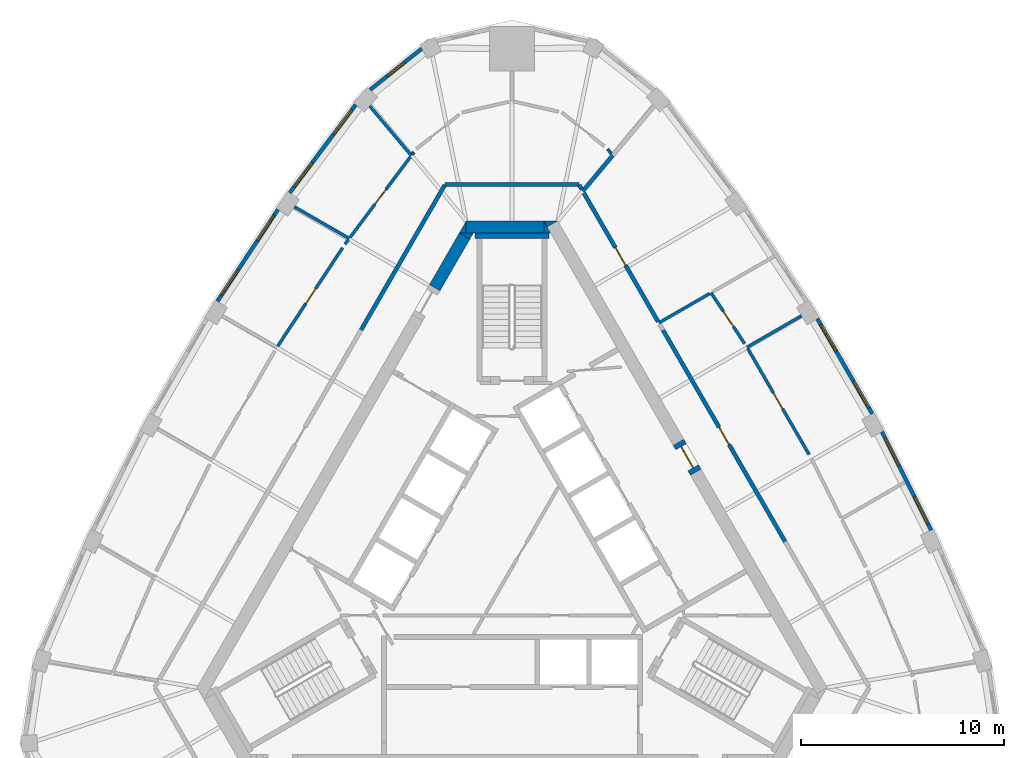
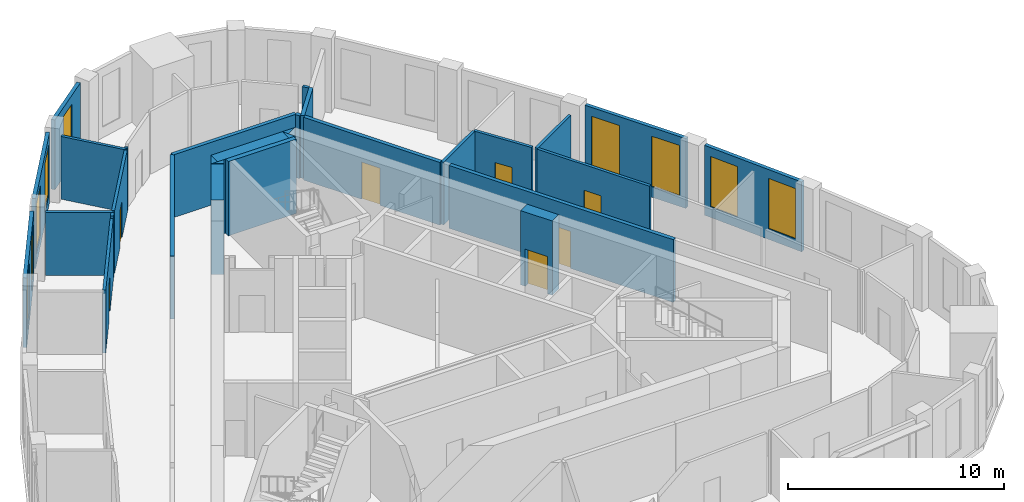
# One storey, part 8 of 10: 30 walls, 9 windows, 7 doors, 16 openings.
"""IFC4 building model written with IfcOpenShell, lengths in metres."""

from ifc_helpers import new_model, si_unit, direction, frame, frame_2d, origin, place, context, subcontext, project, spatial, polyline, rectangle, outline, extrude, material, layer, layer_set, type_object, element, fill, save


model = new_model("IFC4")

# Units and contexts
model_context = context("Model", 3, precision=1e-05, world=origin(), true_north=direction((0.0, 1.0)))
body_context = subcontext(model_context, "Body", "Model", "MODEL_VIEW")
ifc_project = project(units=[si_unit("LENGTHUNIT", "METRE"), si_unit("AREAUNIT", "SQUARE_METRE"), si_unit("VOLUMEUNIT", "CUBIC_METRE"), si_unit("PLANEANGLEUNIT", "RADIAN"), si_unit("MASSUNIT", "GRAM", prefix="KILO")], contexts=[model_context])

# Site, building, storey
site_placement = place(None, origin())
site = spatial("IfcSite", under=ifc_project, at=site_placement, CompositionType="ELEMENT")
building_placement = place(site_placement, origin())
building = spatial("IfcBuilding", under=site, at=building_placement, Name="Mestral Congress Tower", CompositionType="ELEMENT")
storey_placement = place(building_placement, frame((0.0, 0.0, 292.199951171875)))
storey = spatial("IfcBuildingStorey", under=building, at=storey_placement, Name="L68", CompositionType="ELEMENT", Elevation=292.199951171875)

# Walls
ifc_material_1 = material(Name="Concrete C60/75", Category="concrete")
ifc_layer_1 = layer(ifc_material_1, 0.60009765625)
ifc_layer_set_1 = layer_set([ifc_layer_1], Name="Concrete C60/75")
wall_type_1 = type_object("IfcWallType", Name="Core wall RC 600", PredefinedType="SOLIDWALL", material=ifc_layer_set_1)
placement = place(storey_placement, origin())
element("IfcWall", 1, at=placement, inside=storey, type_object=wall_type_1, Name="L68 core wall", PredefinedType="SOLIDWALL", context=body_context, shape_type="SweptSolid", body=[
    extrude(outline(polyline([(1.558837890625, 16.60009765625), (2.23486328125, 16.60009765625), (1.727783203125, 16.307373046875), (1.558837890625, 16.60009765625)])), origin(), (0.0, 0.0, 1.0), 4.199951171875),
])
wall_2_placement = place(storey_placement, frame((-2.258056640625, 16.300048828125, 0.0), z_axis=(0.0, 0.0, 1.0), x_axis=(1.0, 0.0, 0.0)))
element("IfcWall", 2, at=wall_2_placement, inside=storey, type_object=wall_type_1, Name="L68 core wall", PredefinedType="SOLIDWALL", context=body_context, shape_type="SweptSolid", body=[
    extrude(rectangle(XDim=3.8232421875, YDim=0.60009765625, at=frame_2d((1.91162109375, 0.0))), origin(), (0.0, 0.0, 1.0), 4.199951171875),
])
element("IfcWall", 3, at=placement, inside=storey, type_object=wall_type_1, Name="L68 core wall", PredefinedType="SOLIDWALL", context=body_context, shape_type="SweptSolid", body=[
    extrude(outline(polyline([(1.9052734375, 16.0), (1.5673828125, 16.0), (1.5673828125, 16.58544921875), (1.9052734375, 16.0)])), origin(), (0.0, 0.0, 1.0), 4.199951171875),
])
element("IfcWall", 4, at=placement, inside=storey, type_object=wall_type_1, Name="L68 core wall", PredefinedType="SOLIDWALL", context=body_context, shape_type="SweptSolid", body=[
    extrude(outline(polyline([(-2.59814453125, 16.0), (-2.260009765625, 16.58544921875), (-2.260009765625, 16.0), (-2.59814453125, 16.0)])), origin(), (0.0, 0.0, 1.0), 4.199951171875),
])
wall_5_placement = place(storey_placement, frame((-2.335205078125, 15.85546875, 0.0), z_axis=(0.0, 0.0, 1.0), x_axis=(-0.499960127962, -0.866048422692, 0.0)))
element("IfcWall", 5, at=wall_5_placement, inside=storey, type_object=wall_type_1, Name="L68 core wall", PredefinedType="SOLIDWALL", context=body_context, shape_type="SweptSolid", body=[
    extrude(rectangle(XDim=2.934326171875, YDim=0.60009765625, at=frame_2d((1.46728515625, 0.0))), origin(), (0.0, 0.0, 1.0), 4.199951171875),
])
element("IfcWall", 6, at=placement, inside=storey, type_object=wall_type_1, Name="L68 core wall", PredefinedType="SOLIDWALL", context=body_context, shape_type="SweptSolid", body=[
    extrude(outline(polyline([(-1.9052734375, 16.0), (-2.07421875, 15.707275390625), (-2.581298828125, 16.0), (-1.9052734375, 16.0)])), origin(), (0.0, 0.0, 1.0), 4.199951171875),
])

# Wall, opening, door
wall_7_placement = place(storey_placement, frame((8.19189453125, 5.711181640625, 0.0), z_axis=(0.0, 0.0, 1.0), x_axis=(0.500062241894, -0.865989465428, 0.0)))
wall_7 = element("IfcWall", 7, at=wall_7_placement, inside=storey, type_object=wall_type_1, Name="L68 door wall", PredefinedType="SOLIDWALL", context=body_context, shape_type="SweptSolid", body=[
    extrude(rectangle(XDim=1.699951171875, YDim=0.60009765625, at=frame_2d((0.85009765625, 0.0))), origin(), (0.0, 0.0, 1.0), 4.199951171875),
])
opening_1_placement = place(wall_7_placement, frame((0.25, 0.0, 0.0)))
opening_1 = element("IfcOpeningElement", 8, at=opening_1_placement, cuts=wall_7, Name="Opening XDL", PredefinedType="OPENING", context=body_context, shape_type="SweptSolid", body=[
    extrude(rectangle(XDim=1.199951171875, YDim=2.10009765625, at=frame_2d((0.60009765625, 1.050048828125))), frame((0.0, 0.31005859375, 0.0), z_axis=(0.0, -1.0, 0.0), x_axis=(1.0, 0.0, 0.0)), (0.0, 0.0, 1.0), 0.6201171875),
])
ifc_material_2 = material(Name="Fire-rated steel door set", Category="steel")
door_type_1 = type_object("IfcDoorType", Name="Core door XD 1200x2100", OperationType="SINGLE_SWING_LEFT", PredefinedType="DOOR", material=ifc_material_2)
door_1_placement = place(opening_1_placement, origin())
door_1 = element("IfcDoor", 9, at=door_1_placement, inside=storey, type_object=door_type_1, Name="Door XDL", OperationType="SINGLE_SWING_LEFT", OverallHeight=2.10009765625, OverallWidth=1.199951171875, PredefinedType="DOOR", context=body_context, shape_type="SweptSolid", body=[
    extrude(rectangle(XDim=1.199951171875, YDim=2.10009765625, at=frame_2d((0.60009765625, 1.050048828125))), frame((0.0, 0.02490234375, 0.0), z_axis=(0.0, -1.0, 0.0), x_axis=(1.0, 0.0, 0.0)), (0.0, 0.0, 1.0), 0.050048828125),
])
fill(opening_1, door_1)

# Wall, openings, windows
ifc_material_3 = material(Name="Precast concrete C40/50 with limestone facing", Category="masonry")
ifc_layer_2 = layer(ifc_material_3, 0.18994140625)
ifc_layer_set_2 = layer_set([ifc_layer_2], Name="Precast concrete C40/50 with limestone facing")
wall_type_2 = type_object("IfcWallType", Name="Facade stone wall 190", PredefinedType="SOLIDWALL", material=ifc_layer_set_2)
wall_8_placement = place(storey_placement, frame((20.625, 1.39208984375, 0.0), z_axis=(0.0, 0.0, 1.0), x_axis=(-0.447484531401, 0.894291671747, 0.0)))
wall_8 = element("IfcWall", 10, at=wall_8_placement, inside=storey, type_object=wall_type_2, Name="Facade wall F1-01", PredefinedType="SOLIDWALL", context=body_context, shape_type="SweptSolid", body=[
    extrude(rectangle(XDim=5.40625, YDim=0.18994140625, at=frame_2d((2.703125, 0.0))), origin(), (0.0, 0.0, 1.0), 3.949951171875),
])
opening_2_placement = place(wall_8_placement, frame((0.346435546875, 0.0, 0.60009765625)))
opening_2 = element("IfcOpeningElement", 11, at=opening_2_placement, cuts=wall_8, Name="Opening W6", PredefinedType="OPENING", context=body_context, shape_type="SweptSolid", body=[
    extrude(rectangle(XDim=1.5, YDim=2.85009765625, at=frame_2d((0.75, 1.425048828125))), frame((0.0, 0.10498046875, 0.0), z_axis=(0.0, -1.0, 0.0), x_axis=(1.0, 0.0, 0.0)), (0.0, 0.0, 1.0), 0.2099609375),
])
opening_3_placement = place(wall_8_placement, frame((3.559326171875, 0.0, 0.60009765625)))
opening_3 = element("IfcOpeningElement", 12, at=opening_3_placement, cuts=wall_8, Name="Opening W6", PredefinedType="OPENING", context=body_context, shape_type="SweptSolid", body=[
    extrude(rectangle(XDim=1.5, YDim=2.85009765625, at=frame_2d((0.75, 1.425048828125))), frame((0.0, 0.10498046875, 0.0), z_axis=(0.0, -1.0, 0.0), x_axis=(1.0, 0.0, 0.0)), (0.0, 0.0, 1.0), 0.2099609375),
])
ifc_material_4 = material(Name="Clear low-emissivity double glazing", Category="glass")
window_type_1 = type_object("IfcWindowType", Name="Facade punched window 1500 x 2850 sill 600", PartitioningType="SINGLE_PANEL", PredefinedType="WINDOW", material=ifc_material_4)
window_1_placement = place(opening_2_placement, origin())
window_1 = element("IfcWindow", 13, at=window_1_placement, inside=storey, type_object=window_type_1, Name="Window F1-01a", OverallHeight=2.85009765625, OverallWidth=1.5, PartitioningType="SINGLE_PANEL", PredefinedType="WINDOW", context=body_context, shape_type="SweptSolid", body=[
    extrude(rectangle(XDim=1.5, YDim=2.85009765625, at=frame_2d((0.75, 1.425048828125))), frame((0.0, 0.044921875, 0.0), z_axis=(0.0, -1.0, 0.0), x_axis=(1.0, 0.0, 0.0)), (0.0, 0.0, 1.0), 0.06005859375),
])
fill(opening_2, window_1)
window_2_placement = place(opening_3_placement, origin())
window_2 = element("IfcWindow", 14, at=window_2_placement, inside=storey, type_object=window_type_1, Name="Window F1-01b", OverallHeight=2.85009765625, OverallWidth=1.5, PartitioningType="SINGLE_PANEL", PredefinedType="WINDOW", context=body_context, shape_type="SweptSolid", body=[
    extrude(rectangle(XDim=1.5, YDim=2.85009765625, at=frame_2d((0.75, 1.425048828125))), frame((0.0, 0.044921875, 0.0), z_axis=(0.0, -1.0, 0.0), x_axis=(1.0, 0.0, 0.0)), (0.0, 0.0, 1.0), 0.06005859375),
])
fill(opening_3, window_2)

wall_9_placement = place(storey_placement, frame((17.728271484375, 7.1142578125, 0.0), z_axis=(0.0, 0.0, 1.0), x_axis=(-0.500024767483, 0.866011103799, 0.0)))
wall_9 = element("IfcWall", 15, at=wall_9_placement, inside=storey, type_object=wall_type_2, Name="Facade wall F1-02", PredefinedType="SOLIDWALL", context=body_context, shape_type="SweptSolid", body=[
    extrude(rectangle(XDim=5.406005859375, YDim=0.18994140625, at=frame_2d((2.703125, 0.0))), origin(), (0.0, 0.0, 1.0), 3.949951171875),
])
opening_4_placement = place(wall_9_placement, frame((0.346435546875, 0.0, 0.60009765625)))
opening_4 = element("IfcOpeningElement", 16, at=opening_4_placement, cuts=wall_9, Name="Opening W6", PredefinedType="OPENING", context=body_context, shape_type="SweptSolid", body=[
    extrude(rectangle(XDim=1.5, YDim=2.85009765625, at=frame_2d((0.75, 1.425048828125))), frame((0.0, 0.10498046875, 0.0), z_axis=(0.0, -1.0, 0.0), x_axis=(1.0, 0.0, 0.0)), (0.0, 0.0, 1.0), 0.2099609375),
])
opening_5_placement = place(wall_9_placement, frame((3.5595703125, 0.0, 0.60009765625)))
opening_5 = element("IfcOpeningElement", 17, at=opening_5_placement, cuts=wall_9, Name="Opening W6", PredefinedType="OPENING", context=body_context, shape_type="SweptSolid", body=[
    extrude(rectangle(XDim=1.5, YDim=2.85009765625, at=frame_2d((0.75, 1.425048828125))), frame((0.0, 0.10498046875, 0.0), z_axis=(0.0, -1.0, 0.0), x_axis=(1.0, 0.0, 0.0)), (0.0, 0.0, 1.0), 0.2099609375),
])
window_3_placement = place(opening_4_placement, origin())
window_3 = element("IfcWindow", 18, at=window_3_placement, inside=storey, type_object=window_type_1, Name="Window F1-02a", OverallHeight=2.85009765625, OverallWidth=1.5, PartitioningType="SINGLE_PANEL", PredefinedType="WINDOW", context=body_context, shape_type="SweptSolid", body=[
    extrude(rectangle(XDim=1.5, YDim=2.85009765625, at=frame_2d((0.75, 1.425048828125))), frame((0.0, 0.044921875, 0.0), z_axis=(0.0, -1.0, 0.0), x_axis=(1.0, 0.0, 0.0)), (0.0, 0.0, 1.0), 0.06005859375),
])
fill(opening_4, window_3)
window_4_placement = place(opening_5_placement, origin())
window_4 = element("IfcWindow", 19, at=window_4_placement, inside=storey, type_object=window_type_1, Name="Window F1-02b", OverallHeight=2.85009765625, OverallWidth=1.5, PartitioningType="SINGLE_PANEL", PredefinedType="WINDOW", context=body_context, shape_type="SweptSolid", body=[
    extrude(rectangle(XDim=1.5, YDim=2.85009765625, at=frame_2d((0.75, 1.425048828125))), frame((0.0, 0.044921875, 0.0), z_axis=(0.0, -1.0, 0.0), x_axis=(1.0, 0.0, 0.0)), (0.0, 0.0, 1.0), 0.06005859375),
])
fill(opening_5, window_4)

# Wall, opening, window
wall_10_placement = place(storey_placement, frame((-4.447509765625, 25.080078125, 0.0), z_axis=(0.0, 0.0, 1.0), x_axis=(-0.781626234064, -0.623747088349, 0.0)))
wall_10 = element("IfcWall", 20, at=wall_10_placement, inside=storey, type_object=wall_type_2, Name="Facade wall K1-3", PredefinedType="SOLIDWALL", context=body_context, shape_type="SweptSolid", body=[
    extrude(rectangle(XDim=3.236572265625, YDim=0.18994140625, at=frame_2d((1.6181640625, 0.0))), origin(), (0.0, 0.0, 1.0), 3.949951171875),
])
opening_6_placement = place(wall_10_placement, frame((1.068359375, 0.0, 0.60009765625)))
opening_6 = element("IfcOpeningElement", 21, at=opening_6_placement, cuts=wall_10, Name="Opening W7", PredefinedType="OPENING", context=body_context, shape_type="SweptSolid", body=[
    extrude(rectangle(XDim=1.10009765625, YDim=2.85009765625, at=frame_2d((0.550048828125, 1.425048828125))), frame((0.0, 0.10498046875, 0.0), z_axis=(0.0, -1.0, 0.0), x_axis=(1.0, 0.0, 0.0)), (0.0, 0.0, 1.0), 0.2099609375),
])
window_type_2 = type_object("IfcWindowType", Name="Facade punched window 1100 x 2850 sill 600", PartitioningType="SINGLE_PANEL", PredefinedType="WINDOW", material=ifc_material_4)
window_5_placement = place(opening_6_placement, origin())
window_5 = element("IfcWindow", 22, at=window_5_placement, inside=storey, type_object=window_type_2, Name="Window K1-3", OverallHeight=2.85009765625, OverallWidth=1.10009765625, PartitioningType="SINGLE_PANEL", PredefinedType="WINDOW", context=body_context, shape_type="SweptSolid", body=[
    extrude(rectangle(XDim=1.10009765625, YDim=2.85009765625, at=frame_2d((0.550048828125, 1.425048828125))), frame((0.0, 0.044921875, 0.0), z_axis=(0.0, -1.0, 0.0), x_axis=(1.0, 0.0, 0.0)), (0.0, 0.0, 1.0), 0.06005859375),
])
fill(opening_6, window_5)

# Wall, openings, windows
wall_11_placement = place(storey_placement, frame((-7.691650390625, 22.32373046875, 0.0), z_axis=(0.0, 0.0, 1.0), x_axis=(-0.599559865294, -0.800329911929, 0.0)))
wall_11 = element("IfcWall", 23, at=wall_11_placement, inside=storey, type_object=wall_type_2, Name="Facade wall F2-00", PredefinedType="SOLIDWALL", context=body_context, shape_type="SweptSolid", body=[
    extrude(rectangle(XDim=5.4150390625, YDim=0.18994140625, at=frame_2d((2.70751953125, 0.0))), origin(), (0.0, 0.0, 1.0), 3.949951171875),
])
opening_7_placement = place(wall_11_placement, frame((0.322509765625, 0.0, 0.60009765625)))
opening_7 = element("IfcOpeningElement", 24, at=opening_7_placement, cuts=wall_11, Name="Opening W6", PredefinedType="OPENING", context=body_context, shape_type="SweptSolid", body=[
    extrude(rectangle(XDim=1.5, YDim=2.85009765625, at=frame_2d((0.75, 1.425048828125))), frame((0.0, 0.10498046875, 0.0), z_axis=(0.0, -1.0, 0.0), x_axis=(1.0, 0.0, 0.0)), (0.0, 0.0, 1.0), 0.2099609375),
])
opening_8_placement = place(wall_11_placement, frame((3.5576171875, 0.0, 0.60009765625)))
opening_8 = element("IfcOpeningElement", 25, at=opening_8_placement, cuts=wall_11, Name="Opening W6", PredefinedType="OPENING", context=body_context, shape_type="SweptSolid", body=[
    extrude(rectangle(XDim=1.5, YDim=2.85009765625, at=frame_2d((0.75, 1.425048828125))), frame((0.0, 0.10498046875, 0.0), z_axis=(0.0, -1.0, 0.0), x_axis=(1.0, 0.0, 0.0)), (0.0, 0.0, 1.0), 0.2099609375),
])
window_6_placement = place(opening_7_placement, origin())
window_6 = element("IfcWindow", 26, at=window_6_placement, inside=storey, type_object=window_type_1, Name="Window F2-00a", OverallHeight=2.85009765625, OverallWidth=1.5, PartitioningType="SINGLE_PANEL", PredefinedType="WINDOW", context=body_context, shape_type="SweptSolid", body=[
    extrude(rectangle(XDim=1.5, YDim=2.85009765625, at=frame_2d((0.75, 1.425048828125))), frame((0.0, 0.044921875, 0.0), z_axis=(0.0, -1.0, 0.0), x_axis=(1.0, 0.0, 0.0)), (0.0, 0.0, 1.0), 0.06005859375),
])
fill(opening_7, window_6)
window_7_placement = place(opening_8_placement, origin())
window_7 = element("IfcWindow", 27, at=window_7_placement, inside=storey, type_object=window_type_1, Name="Window F2-00b", OverallHeight=2.85009765625, OverallWidth=1.5, PartitioningType="SINGLE_PANEL", PredefinedType="WINDOW", context=body_context, shape_type="SweptSolid", body=[
    extrude(rectangle(XDim=1.5, YDim=2.85009765625, at=frame_2d((0.75, 1.425048828125))), frame((0.0, 0.044921875, 0.0), z_axis=(0.0, -1.0, 0.0), x_axis=(1.0, 0.0, 0.0)), (0.0, 0.0, 1.0), 0.06005859375),
])
fill(opening_8, window_7)

wall_12_placement = place(storey_placement, frame((-11.518310546875, 17.16552734375, 0.0), z_axis=(0.0, 0.0, 1.0), x_axis=(-0.550744054781, -0.83467417962, 0.0)))
wall_12 = element("IfcWall", 28, at=wall_12_placement, inside=storey, type_object=wall_type_2, Name="Facade wall F2-01", PredefinedType="SOLIDWALL", context=body_context, shape_type="SweptSolid", body=[
    extrude(rectangle(XDim=5.406005859375, YDim=0.18994140625, at=frame_2d((2.703125, 0.0))), origin(), (0.0, 0.0, 1.0), 3.949951171875),
])
opening_9_placement = place(wall_12_placement, frame((0.346435546875, 0.0, 0.60009765625)))
opening_9 = element("IfcOpeningElement", 29, at=opening_9_placement, cuts=wall_12, Name="Opening W6", PredefinedType="OPENING", context=body_context, shape_type="SweptSolid", body=[
    extrude(rectangle(XDim=1.5, YDim=2.85009765625, at=frame_2d((0.75, 1.425048828125))), frame((0.0, 0.10498046875, 0.0), z_axis=(0.0, -1.0, 0.0), x_axis=(1.0, 0.0, 0.0)), (0.0, 0.0, 1.0), 0.2099609375),
])
opening_10_placement = place(wall_12_placement, frame((3.559326171875, 0.0, 0.60009765625)))
opening_10 = element("IfcOpeningElement", 30, at=opening_10_placement, cuts=wall_12, Name="Opening W6", PredefinedType="OPENING", context=body_context, shape_type="SweptSolid", body=[
    extrude(rectangle(XDim=1.5, YDim=2.85009765625, at=frame_2d((0.75, 1.425048828125))), frame((0.0, 0.10498046875, 0.0), z_axis=(0.0, -1.0, 0.0), x_axis=(1.0, 0.0, 0.0)), (0.0, 0.0, 1.0), 0.2099609375),
])
window_8_placement = place(opening_9_placement, origin())
window_8 = element("IfcWindow", 31, at=window_8_placement, inside=storey, type_object=window_type_1, Name="Window F2-01a", OverallHeight=2.85009765625, OverallWidth=1.5, PartitioningType="SINGLE_PANEL", PredefinedType="WINDOW", context=body_context, shape_type="SweptSolid", body=[
    extrude(rectangle(XDim=1.5, YDim=2.85009765625, at=frame_2d((0.75, 1.425048828125))), frame((0.0, 0.044921875, 0.0), z_axis=(0.0, -1.0, 0.0), x_axis=(1.0, 0.0, 0.0)), (0.0, 0.0, 1.0), 0.06005859375),
])
fill(opening_9, window_8)
window_9_placement = place(opening_10_placement, origin())
window_9 = element("IfcWindow", 32, at=window_9_placement, inside=storey, type_object=window_type_1, Name="Window F2-01b", OverallHeight=2.85009765625, OverallWidth=1.5, PartitioningType="SINGLE_PANEL", PredefinedType="WINDOW", context=body_context, shape_type="SweptSolid", body=[
    extrude(rectangle(XDim=1.5, YDim=2.85009765625, at=frame_2d((0.75, 1.425048828125))), frame((0.0, 0.044921875, 0.0), z_axis=(0.0, -1.0, 0.0), x_axis=(1.0, 0.0, 0.0)), (0.0, 0.0, 1.0), 0.06005859375),
])
fill(opening_10, window_9)

# Wall
ifc_material_5 = material(Name="Plasterboard partition on steel studs", Category="steel")
ifc_layer_3 = layer(ifc_material_5, 0.14990234375)
ifc_layer_set_3 = layer_set([ifc_layer_3], Name="Plasterboard partition on steel studs")
wall_type_3 = type_object("IfcWallType", Name="Office partition 150", PredefinedType="PARTITIONING", material=ifc_layer_set_3)
wall_13_placement = place(storey_placement, frame((11.564208984375, 10.38671875, 0.0), z_axis=(0.0, 0.0, 1.0), x_axis=(0.86604641216, 0.499963610661, 0.0)))
element("IfcWall", 33, at=wall_13_placement, inside=storey, type_object=wall_type_3, Name="Partition", PredefinedType="PARTITIONING", context=body_context, shape_type="SweptSolid", body=[
    extrude(rectangle(XDim=3.096435546875, YDim=0.14990234375, at=frame_2d((1.54833984375, 0.0))), origin(), (0.0, 0.0, 1.0), 3.550048828125),
])

# Wall, opening, door
wall_14_placement = place(storey_placement, frame((11.601806640625, 10.32177734375, 0.0), z_axis=(0.0, 0.0, 1.0), x_axis=(0.500961140821, -0.865469777281, 0.0)))
wall_14 = element("IfcWall", 34, at=wall_14_placement, inside=storey, type_object=wall_type_3, Name="Partition", PredefinedType="PARTITIONING", context=body_context, shape_type="SweptSolid", body=[
    extrude(rectangle(XDim=6.020751953125, YDim=0.14990234375, at=frame_2d((3.01025390625, 0.0))), origin(), (0.0, 0.0, 1.0), 3.550048828125),
])
opening_11_placement = place(wall_14_placement, frame((2.5205078125, 0.0, 0.0)))
opening_11 = element("IfcOpeningElement", 35, at=opening_11_placement, cuts=wall_14, Name="Opening O13-006", PredefinedType="OPENING", context=body_context, shape_type="SweptSolid", body=[
    extrude(rectangle(XDim=0.89990234375, YDim=2.10009765625, at=frame_2d((0.449951171875, 1.050048828125))), frame((0.0, 0.0849609375, 0.0), z_axis=(0.0, -1.0, 0.0), x_axis=(1.0, 0.0, 0.0)), (0.0, 0.0, 1.0), 0.169921875),
])
ifc_material_6 = material(Name="Timber door set", Category="wood")
door_type_2 = type_object("IfcDoorType", Name="Office door 900x2100", OperationType="SINGLE_SWING_LEFT", PredefinedType="DOOR", material=ifc_material_6)
door_2_placement = place(opening_11_placement, origin())
door_2 = element("IfcDoor", 36, at=door_2_placement, inside=storey, type_object=door_type_2, Name="Door O13-006", OperationType="SINGLE_SWING_LEFT", OverallHeight=2.10009765625, OverallWidth=0.89990234375, PredefinedType="DOOR", context=body_context, shape_type="SweptSolid", body=[
    extrude(rectangle(XDim=0.89990234375, YDim=2.10009765625, at=frame_2d((0.449951171875, 1.050048828125))), frame((0.0, 0.02490234375, 0.0), z_axis=(0.0, -1.0, 0.0), x_axis=(1.0, 0.0, 0.0)), (0.0, 0.0, 1.0), 0.050048828125),
])
fill(opening_11, door_2)

wall_15_placement = place(storey_placement, frame((9.794677734375, 13.068359375, 0.0), z_axis=(0.0, 0.0, 1.0), x_axis=(0.550767347659, -0.834658809786, 0.0)))
wall_15 = element("IfcWall", 37, at=wall_15_placement, inside=storey, type_object=wall_type_3, Name="Partition", PredefinedType="PARTITIONING", context=body_context, shape_type="SweptSolid", body=[
    extrude(rectangle(XDim=2.998779296875, YDim=0.14990234375, at=frame_2d((1.49951171875, 0.0))), origin(), (0.0, 0.0, 1.0), 3.550048828125),
])
opening_12_placement = place(wall_15_placement, frame((1.0986328125, 0.0, 0.0)))
opening_12 = element("IfcOpeningElement", 38, at=opening_12_placement, cuts=wall_15, Name="Opening O13-007", PredefinedType="OPENING", context=body_context, shape_type="SweptSolid", body=[
    extrude(rectangle(XDim=0.89990234375, YDim=2.10009765625, at=frame_2d((0.449951171875, 1.050048828125))), frame((0.0, 0.0849609375, 0.0), z_axis=(0.0, -1.0, 0.0), x_axis=(1.0, 0.0, 0.0)), (0.0, 0.0, 1.0), 0.169921875),
])
door_3_placement = place(opening_12_placement, origin())
door_3 = element("IfcDoor", 39, at=door_3_placement, inside=storey, type_object=door_type_2, Name="Door O13-007", OperationType="SINGLE_SWING_RIGHT", OverallHeight=2.10009765625, OverallWidth=0.89990234375, PredefinedType="DOOR", context=body_context, shape_type="SweptSolid", body=[
    extrude(rectangle(XDim=0.89990234375, YDim=2.10009765625, at=frame_2d((0.449951171875, 1.050048828125))), frame((0.0, 0.02490234375, 0.0), z_axis=(0.0, -1.0, 0.0), x_axis=(1.0, 0.0, 0.0)), (0.0, 0.0, 1.0), 0.050048828125),
])
fill(opening_12, door_3)

# Walls
wall_16_placement = place(storey_placement, frame((7.2255859375, 11.585205078125, 0.0), z_axis=(0.0, 0.0, 1.0), x_axis=(0.866021079084, 0.500007490527, 0.0)))
element("IfcWall", 40, at=wall_16_placement, inside=storey, type_object=wall_type_3, Name="Partition", PredefinedType="PARTITIONING", context=body_context, shape_type="SweptSolid", body=[
    extrude(rectangle(XDim=2.8916015625, YDim=0.14990234375, at=frame_2d((1.44580078125, 0.0))), origin(), (0.0, 0.0, 1.0), 3.550048828125),
])
wall_17_placement = place(storey_placement, frame((4.89111328125, 19.8994140625, 0.0), z_axis=(0.0, 0.0, 1.0), x_axis=(-0.6, 0.8, 0.0)))
element("IfcWall", 41, at=wall_17_placement, inside=storey, type_object=wall_type_3, Name="Partition", PredefinedType="PARTITIONING", context=body_context, shape_type="SweptSolid", body=[
    extrude(rectangle(XDim=0.308837890625, YDim=0.14990234375, at=frame_2d((0.154296875, 0.0))), origin(), (0.0, 0.0, 1.0), 3.550048828125),
])
wall_18_placement = place(storey_placement, frame((-4.952392578125, 19.8173828125, 0.0), z_axis=(0.0, 0.0, 1.0), x_axis=(-0.643023053688, 0.765846820471, 0.0)))
element("IfcWall", 42, at=wall_18_placement, inside=storey, type_object=wall_type_3, Name="Partition", PredefinedType="PARTITIONING", context=body_context, shape_type="SweptSolid", body=[
    extrude(rectangle(XDim=3.184326171875, YDim=0.14990234375, at=frame_2d((1.59228515625, 0.0))), origin(), (0.0, 0.0, 1.0), 3.550048828125),
])
wall_19_placement = place(storey_placement, frame((-4.83447265625, 19.97509765625, 0.0), z_axis=(0.0, 0.0, 1.0), x_axis=(-0.599349659863, -0.800487342325, 0.0)))
element("IfcWall", 43, at=wall_19_placement, inside=storey, type_object=wall_type_3, Name="Partition", PredefinedType="PARTITIONING", context=body_context, shape_type="SweptSolid", body=[
    extrude(rectangle(XDim=0.1201171875, YDim=0.14990234375, at=frame_2d((0.06005859375, 0.0))), origin(), (0.0, 0.0, 1.0), 3.550048828125),
])
wall_20_placement = place(storey_placement, frame((-8.007080078125, 15.73974609375, 0.0), z_axis=(0.0, 0.0, 1.0), x_axis=(-0.866044607523, 0.499966736674, 0.0)))
element("IfcWall", 44, at=wall_20_placement, inside=storey, type_object=wall_type_3, Name="Partition", PredefinedType="PARTITIONING", context=body_context, shape_type="SweptSolid", body=[
    extrude(rectangle(XDim=3.114501953125, YDim=0.14990234375, at=frame_2d((1.55712890625, 0.0))), origin(), (0.0, 0.0, 1.0), 3.550048828125),
])

# Wall, opening, door
wall_21_placement = place(storey_placement, frame((-7.9619140625, 15.800048828125, 0.0), z_axis=(0.0, 0.0, 1.0), x_axis=(0.599541489613, 0.800343677574, 0.0)))
wall_21 = element("IfcWall", 45, at=wall_21_placement, inside=storey, type_object=wall_type_3, Name="Partition", PredefinedType="PARTITIONING", context=body_context, shape_type="SweptSolid", body=[
    extrude(rectangle(XDim=4.9423828125, YDim=0.14990234375, at=frame_2d((2.47119140625, 0.0))), origin(), (0.0, 0.0, 1.0), 3.550048828125),
])
opening_13_placement = place(wall_21_placement, frame((2.042236328125, 0.0, 0.0)))
opening_13 = element("IfcOpeningElement", 46, at=opening_13_placement, cuts=wall_21, Name="Opening O13-012", PredefinedType="OPENING", context=body_context, shape_type="SweptSolid", body=[
    extrude(rectangle(XDim=0.89990234375, YDim=2.10009765625, at=frame_2d((0.449951171875, 1.050048828125))), frame((0.0, 0.0849609375, 0.0), z_axis=(0.0, -1.0, 0.0), x_axis=(1.0, 0.0, 0.0)), (0.0, 0.0, 1.0), 0.169921875),
])
door_4_placement = place(opening_13_placement, origin())
door_4 = element("IfcDoor", 47, at=door_4_placement, inside=storey, type_object=door_type_2, Name="Door O13-012", OperationType="SINGLE_SWING_RIGHT", OverallHeight=2.10009765625, OverallWidth=0.89990234375, PredefinedType="DOOR", context=body_context, shape_type="SweptSolid", body=[
    extrude(rectangle(XDim=0.89990234375, YDim=2.10009765625, at=frame_2d((0.449951171875, 1.050048828125))), frame((0.0, 0.02490234375, 0.0), z_axis=(0.0, -1.0, 0.0), x_axis=(1.0, 0.0, 0.0)), (0.0, 0.0, 1.0), 0.050048828125),
])
fill(opening_13, door_4)

# Wall
wall_22_placement = place(storey_placement, frame((-8.052490234375, 15.67919921875, 0.0), z_axis=(0.0, 0.0, 1.0), x_axis=(-0.599004157744, -0.800745914136, 0.0)))
element("IfcWall", 48, at=wall_22_placement, inside=storey, type_object=wall_type_3, Name="Partition", PredefinedType="PARTITIONING", context=body_context, shape_type="SweptSolid", body=[
    extrude(rectangle(XDim=0.274658203125, YDim=0.14990234375, at=frame_2d((0.13720703125, 0.0))), origin(), (0.0, 0.0, 1.0), 3.550048828125),
])

# Wall, opening, door
wall_23_placement = place(storey_placement, frame((-11.52294921875, 10.449462890625, 0.0), z_axis=(0.0, 0.0, 1.0), x_axis=(0.550751709023, 0.834669129061, 0.0)))
wall_23 = element("IfcWall", 49, at=wall_23_placement, inside=storey, type_object=wall_type_3, Name="Partition", PredefinedType="PARTITIONING", context=body_context, shape_type="SweptSolid", body=[
    extrude(rectangle(XDim=5.7880859375, YDim=0.14990234375, at=frame_2d((2.89404296875, 0.0))), origin(), (0.0, 0.0, 1.0), 3.550048828125),
])
opening_14_placement = place(wall_23_placement, frame((2.488037109375, 0.0, 0.0)))
opening_14 = element("IfcOpeningElement", 50, at=opening_14_placement, cuts=wall_23, Name="Opening O13-013", PredefinedType="OPENING", context=body_context, shape_type="SweptSolid", body=[
    extrude(rectangle(XDim=0.89990234375, YDim=2.10009765625, at=frame_2d((0.449951171875, 1.050048828125))), frame((0.0, 0.0849609375, 0.0), z_axis=(0.0, -1.0, 0.0), x_axis=(1.0, 0.0, 0.0)), (0.0, 0.0, 1.0), 0.169921875),
])
door_5_placement = place(opening_14_placement, origin())
door_5 = element("IfcDoor", 51, at=door_5_placement, inside=storey, type_object=door_type_2, Name="Door O13-013", OperationType="SINGLE_SWING_RIGHT", OverallHeight=2.10009765625, OverallWidth=0.89990234375, PredefinedType="DOOR", context=body_context, shape_type="SweptSolid", body=[
    extrude(rectangle(XDim=0.89990234375, YDim=2.10009765625, at=frame_2d((0.449951171875, 1.050048828125))), frame((0.0, 0.02490234375, 0.0), z_axis=(0.0, -1.0, 0.0), x_axis=(1.0, 0.0, 0.0)), (0.0, 0.0, 1.0), 0.050048828125),
])
fill(opening_14, door_5)

ifc_material_7 = material(Name="Dense masonry wall, plastered", Category="masonry")
ifc_layer_4 = layer(ifc_material_7, 0.199951171875)
ifc_layer_set_4 = layer_set([ifc_layer_4], Name="Dense masonry wall, plastered")
wall_type_4 = type_object("IfcWallType", Name="Office tenancy wall 200", PredefinedType="PARTITIONING", material=ifc_layer_set_4)
wall_24_placement = place(storey_placement, frame((13.435546875, 0.828857421875, 0.0), z_axis=(0.0, 0.0, 1.0), x_axis=(-0.49999894854, 0.866026010844, 0.0)))
wall_24 = element("IfcWall", 52, at=wall_24_placement, inside=storey, type_object=wall_type_4, Name="Tenancy wall", PredefinedType="PARTITIONING", context=body_context, shape_type="SweptSolid", body=[
    extrude(rectangle(XDim=12.0, YDim=0.199951171875, at=frame_2d((6.0, 0.0))), origin(), (0.0, 0.0, 1.0), 3.550048828125),
])
opening_15_placement = place(wall_24_placement, frame((5.5, 0.0, 0.0)))
opening_15 = element("IfcOpeningElement", 53, at=opening_15_placement, cuts=wall_24, Name="Opening O13-008", PredefinedType="OPENING", context=body_context, shape_type="SweptSolid", body=[
    extrude(rectangle(XDim=1.0, YDim=2.10009765625, at=frame_2d((0.5, 1.050048828125))), frame((0.0, 0.10986328125, 0.0), z_axis=(0.0, -1.0, 0.0), x_axis=(1.0, 0.0, 0.0)), (0.0, 0.0, 1.0), 0.219970703125),
])
ifc_material_8 = material(Name="Fire-rated timber door set", Category="wood")
door_type_3 = type_object("IfcDoorType", Name="Office tenancy entrance door 1000x2100", OperationType="SINGLE_SWING_LEFT", PredefinedType="DOOR", material=ifc_material_8)
door_6_placement = place(opening_15_placement, origin())
door_6 = element("IfcDoor", 54, at=door_6_placement, inside=storey, type_object=door_type_3, Name="Door O13-008", OperationType="SINGLE_SWING_RIGHT", OverallHeight=2.10009765625, OverallWidth=1.0, PredefinedType="DOOR", context=body_context, shape_type="SweptSolid", body=[
    extrude(rectangle(XDim=1.0, YDim=2.10009765625, at=frame_2d((0.5, 1.050048828125))), frame((0.0, 0.02490234375, 0.0), z_axis=(0.0, -1.0, 0.0), x_axis=(1.0, 0.0, 0.0)), (0.0, 0.0, 1.0), 0.050048828125),
])
fill(opening_15, door_6)

# Wall
wall_25_placement = place(storey_placement, frame((3.483154296875, 18.06689453125, 0.0), z_axis=(0.0, 0.0, 1.0), x_axis=(0.642896944312, 0.765952687177, 0.0)))
element("IfcWall", 55, at=wall_25_placement, inside=storey, type_object=wall_type_4, Name="Tenancy wall", PredefinedType="PARTITIONING", context=body_context, shape_type="SweptSolid", body=[
    extrude(rectangle(XDim=2.28955078125, YDim=0.199951171875, at=frame_2d((1.144775390625, 0.0))), origin(), (0.0, 0.0, 1.0), 3.550048828125),
])

# Wall, opening, door
wall_26_placement = place(storey_placement, frame((7.18798828125, 11.64990234375, 0.0), z_axis=(0.0, 0.0, 1.0), x_axis=(-0.499989634868, 0.866031388014, 0.0)))
wall_26 = element("IfcWall", 56, at=wall_26_placement, inside=storey, type_object=wall_type_4, Name="Tenancy wall", PredefinedType="PARTITIONING", context=body_context, shape_type="SweptSolid", body=[
    extrude(rectangle(XDim=7.303466796875, YDim=0.199951171875, at=frame_2d((3.65185546875, 0.0))), origin(), (0.0, 0.0, 1.0), 3.550048828125),
])
opening_16_placement = place(wall_26_placement, frame((3.199951171875, 0.0, 0.0)))
opening_16 = element("IfcOpeningElement", 57, at=opening_16_placement, cuts=wall_26, Name="Opening O13-009", PredefinedType="OPENING", context=body_context, shape_type="SweptSolid", body=[
    extrude(rectangle(XDim=1.0, YDim=2.10009765625, at=frame_2d((0.5, 1.050048828125))), frame((0.0, 0.10986328125, 0.0), z_axis=(0.0, -1.0, 0.0), x_axis=(1.0, 0.0, 0.0)), (0.0, 0.0, 1.0), 0.219970703125),
])
door_7_placement = place(opening_16_placement, origin())
door_7 = element("IfcDoor", 58, at=door_7_placement, inside=storey, type_object=door_type_3, Name="Door O13-009", OperationType="SINGLE_SWING_RIGHT", OverallHeight=2.10009765625, OverallWidth=1.0, PredefinedType="DOOR", context=body_context, shape_type="SweptSolid", body=[
    extrude(rectangle(XDim=1.0, YDim=2.10009765625, at=frame_2d((0.5, 1.050048828125))), frame((0.0, 0.02490234375, 0.0), z_axis=(0.0, -1.0, 0.0), x_axis=(1.0, 0.0, 0.0)), (0.0, 0.0, 1.0), 0.050048828125),
])
fill(opening_16, door_7)

# Walls
wall_27_placement = place(storey_placement, frame((3.291015625, 18.39990234375, 0.0), z_axis=(0.0, 0.0, 1.0), x_axis=(-1.0, 0.0, 0.0)))
element("IfcWall", 59, at=wall_27_placement, inside=storey, type_object=wall_type_4, Name="Tenancy wall", PredefinedType="PARTITIONING", context=body_context, shape_type="SweptSolid", body=[
    extrude(rectangle(XDim=6.58203125, YDim=0.199951171875, at=frame_2d((3.291015625, 0.0))), origin(), (0.0, 0.0, 1.0), 3.550048828125),
])
wall_28_placement = place(storey_placement, frame((-3.305908203125, 18.3740234375, 0.0), z_axis=(0.0, 0.0, 1.0), x_axis=(-0.499999798456, -0.866025520146, 0.0)))
element("IfcWall", 60, at=wall_28_placement, inside=storey, type_object=wall_type_4, Name="Tenancy wall", PredefinedType="PARTITIONING", context=body_context, shape_type="SweptSolid", body=[
    extrude(rectangle(XDim=8.2294921875, YDim=0.199951171875, at=frame_2d((4.11474609375, 0.0))), origin(), (0.0, 0.0, 1.0), 3.550048828125),
])
wall_29_placement = place(storey_placement, frame((3.429931640625, 18.1591796875, 0.0), z_axis=(0.0, 0.0, 1.0), x_axis=(-0.499949632511, 0.866054481515, 0.0)))
element("IfcWall", 61, at=wall_29_placement, inside=storey, type_object=wall_type_4, Name="Tenancy wall", PredefinedType="PARTITIONING", context=body_context, shape_type="SweptSolid", body=[
    extrude(rectangle(XDim=0.248046875, YDim=0.199951171875, at=frame_2d((0.1240234375, 0.0))), origin(), (0.0, 0.0, 1.0), 3.550048828125),
])
ifc_layer_5 = layer(ifc_material_1, 0.25)
ifc_layer_set_5 = layer_set([ifc_layer_5], Name="Concrete C60/75")
wall_type_5 = type_object("IfcWallType", Name="Stair wall RC 250", PredefinedType="SOLIDWALL", material=ifc_layer_set_5)
wall_30_placement = place(storey_placement, frame((-1.81689453125, 15.875, 0.0), z_axis=(0.0, 0.0, 1.0), x_axis=(1.0, 0.0, 0.0)))
element("IfcWall", 62, at=wall_30_placement, inside=storey, type_object=wall_type_5, Name="L68 core wall", PredefinedType="SOLIDWALL", context=body_context, shape_type="SweptSolid", body=[
    extrude(rectangle(XDim=3.6337890625, YDim=0.25, at=frame_2d((1.81689453125, 0.0))), origin(), (0.0, 0.0, 1.0), 4.199951171875),
])

save(model, "model.ifc")
